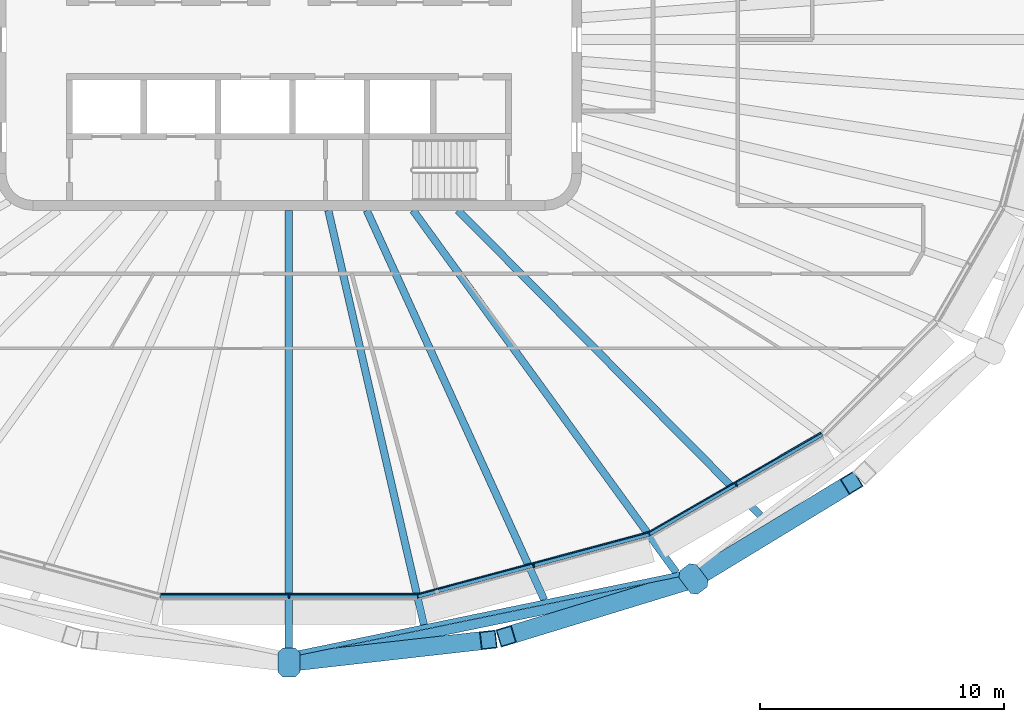
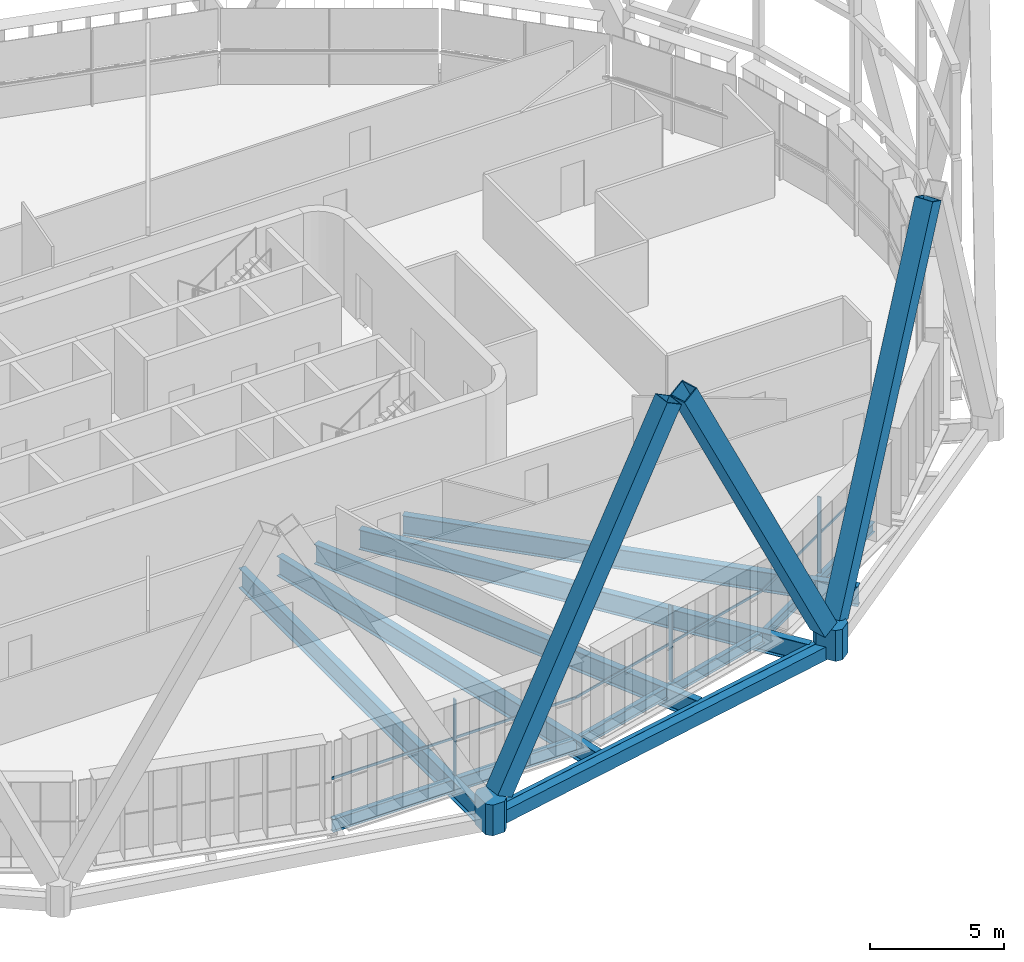
# One storey, part 4 of 23: 11 members, 10 beams, 3 elements without a shape of their own.
"""IFC4 building model written with IfcOpenShell, lengths in metres."""

from ifc_helpers import new_model, si_unit, direction, frame, origin, origin_2d, place, context, subcontext, project, spatial, polyline, rectangle, hollow_rectangle, i_section, outline, extrude, material, layer, layer_set, material_profile, profile_set, type_object, element, aggregate, save


model = new_model("IFC4")

# Units and contexts
model_context = context("Model", 3, precision=1e-05, world=origin(), true_north=direction((0.0, 1.0)))
body_context = subcontext(model_context, "Body", "Model", "MODEL_VIEW")
ifc_project = project(units=[si_unit("LENGTHUNIT", "METRE"), si_unit("AREAUNIT", "SQUARE_METRE"), si_unit("VOLUMEUNIT", "CUBIC_METRE"), si_unit("PLANEANGLEUNIT", "RADIAN"), si_unit("MASSUNIT", "GRAM", prefix="KILO")], contexts=[model_context])

# Site, building, storey
site_placement = place(None, origin())
site = spatial("IfcSite", under=ifc_project, at=site_placement, CompositionType="ELEMENT")
building_placement = place(site_placement, origin())
building = spatial("IfcBuilding", under=site, at=building_placement, Name="Sahrelin Media Tower", CompositionType="ELEMENT")
storey_placement = place(building_placement, frame((0.0, 0.0, 217.60009765625)))
storey = spatial("IfcBuildingStorey", under=building, at=storey_placement, Name="L46", CompositionType="ELEMENT", Elevation=217.60009765625)

# Members
ifc_material_1 = material(Name="Steel S460", Category="steel")
ifc_material_profile_1 = material_profile(ifc_material_1, hollow_rectangle(XDim=0.75, YDim=0.75, WallThickness=0.0400390625, at=origin_2d()), Name="Diagrid diagonal DG6")
ifc_profile_set_1 = profile_set([ifc_material_profile_1], Name="Steel S460")
member_type_1 = type_object("IfcMemberType", Name="Diagrid diagonal DG6", PredefinedType="BRACE", material=ifc_profile_set_1)
member_1_placement = place(storey_placement, frame((0.374267578125, -25.489990234375, 0.699951171875), z_axis=(0.47073958904, 0.053104550542, 0.880672553235), x_axis=(-0.112099834175, 0.993696949365, 0.0)))
element("IfcMember", 1, at=member_1_placement, inside=storey, type_object=member_type_1, Name="Diagrid diagonal D10-18", PredefinedType="BRACE", context=body_context, shape_type="SweptSolid", body=[
    extrude(hollow_rectangle(XDim=0.75, YDim=0.75, WallThickness=0.0400390625, at=origin_2d()), origin(), (0.0, 0.0, 1.0), 16.578125),
])
member_2_placement = place(storey_placement, frame((16.234375, -22.218994140625, 0.699951171875), z_axis=(-0.444550458227, -0.135899842006, 0.885384731647), x_axis=(0.292346380443, -0.956312498006, 0.0)))
element("IfcMember", 2, at=member_2_placement, inside=storey, type_object=member_type_1, Name="Diagrid diagonal D10-19", PredefinedType="BRACE", context=body_context, shape_type="SweptSolid", body=[
    extrude(hollow_rectangle(XDim=0.75, YDim=0.75, WallThickness=0.0400390625, at=origin_2d()), origin(), (0.0, 0.0, 1.0), 16.48974609375),
])
member_3_placement = place(storey_placement, frame((16.882568359375, -21.930908203125, 0.699951171875), z_axis=(0.379598064611, 0.231069461193, 0.895830460214), x_axis=(-0.51996298769, 0.854188791446, 0.0)))
element("IfcMember", 3, at=member_3_placement, inside=storey, type_object=member_type_1, Name="Diagrid diagonal D10-20", PredefinedType="BRACE", context=body_context, shape_type="SweptSolid", body=[
    extrude(hollow_rectangle(XDim=0.75, YDim=0.75, WallThickness=0.0400390625, at=origin_2d()), origin(), (0.0, 0.0, 1.0), 16.297607421875),
])
ifc_material_profile_2 = material_profile(ifc_material_1, outline(polyline([(0.39990234375, -0.449951171875), (0.60009765625, -0.25), (0.60009765625, 0.25), (0.39990234375, 0.449951171875), (-0.39990234375, 0.449951171875), (-0.60009765625, 0.25), (-0.60009765625, -0.25), (-0.39990234375, -0.449951171875), (0.39990234375, -0.449951171875)])), Name="Diagrid node block 1200")
ifc_profile_set_2 = profile_set([ifc_material_profile_2], Name="Steel S460")
member_type_2 = type_object("IfcMemberType", Name="Diagrid node block 1200", PredefinedType="USERDEFINED", material=ifc_profile_set_2)
for number, where, z_axis, x_axis, name in (
    (4, (0.0, -25.5322265625, -0.7001953125), (0.0, 0.0, 1.0), (0.0, -1.0, 0.0), "Diagrid node N10-09"),
    (5, (16.5859375, -22.111572265625, -0.7001953125), (0.0, 0.0, 1.0), (0.600053089558, -0.799960180079, 0.0), "Diagrid node N10-10"),
):
    element("IfcMember", number, at=place(storey_placement, frame(where, z_axis=z_axis, x_axis=x_axis)), inside=storey, type_object=member_type_2, Name=name, ObjectType="NODE", PredefinedType="USERDEFINED", context=body_context, shape_type="SweptSolid", body=[
        extrude(outline(polyline([(0.39990234375, -0.449951171875), (0.60009765625, -0.25), (0.60009765625, 0.25), (0.39990234375, 0.449951171875), (-0.39990234375, 0.449951171875), (-0.60009765625, 0.25), (-0.60009765625, -0.25), (-0.39990234375, -0.449951171875), (0.39990234375, -0.449951171875)])), origin(), (0.0, 0.0, 1.0), 1.400146484375),
    ])

# Beams
ifc_material_profile_3 = material_profile(ifc_material_1, hollow_rectangle(XDim=0.39990234375, YDim=0.60009765625, WallThickness=0.030029296875, at=origin_2d()), Name="Diagrid ring beam RB1")
ifc_profile_set_3 = profile_set([ifc_material_profile_3], Name="Steel S460")
beam_type_1 = type_object("IfcBeamType", Name="Diagrid ring beam RB1", PredefinedType="BEAM", material=ifc_profile_set_3)
beam_1_placement = place(storey_placement, frame((0.0, -25.5322265625, -0.4501953125), z_axis=(0.979388146689, 0.201987272186, 0.0), x_axis=(-0.201987272186, 0.979388146689, 0.0)))
element("IfcBeam", 6, at=beam_1_placement, inside=storey, type_object=beam_type_1, Name="Diagrid ring beam RB10-09", PredefinedType="BEAM", context=body_context, shape_type="SweptSolid", body=[
    extrude(hollow_rectangle(XDim=0.39990234375, YDim=0.60009765625, WallThickness=0.030029296875, at=origin_2d()), origin(), (0.0, 0.0, 1.0), 16.93505859375),
])
ifc_material_2 = material(Name="Steel S355", Category="steel")
ifc_material_profile_4 = material_profile(ifc_material_2, i_section(OverallWidth=0.1904296875, OverallDepth=0.45703125, WebThickness=0.009033203125, FlangeThickness=0.014404296875, FilletRadius=0.01025390625, at=origin_2d()), Name="UB 457x191x74")
ifc_profile_set_4 = profile_set([ifc_material_profile_4], Name="Steel S355")
beam_type_2 = type_object("IfcBeamType", Name="Edge beam EB5", PredefinedType="BEAM", material=ifc_profile_set_4)
beam_2_placement = place(storey_placement, frame((21.8505859375, -16.169189453125, -0.378662109375), z_axis=(-0.866015284814, -0.500017526161, 0.0), x_axis=(0.500017526161, -0.866015284814, 0.0)))
element("IfcBeam", 7, at=beam_2_placement, inside=storey, type_object=beam_type_2, Name="Edge beam L46-05", PredefinedType="BEAM", context=body_context, shape_type="SweptSolid", body=[
    extrude(i_section(OverallWidth=0.1904296875, OverallDepth=0.45703125, WebThickness=0.009033203125, FlangeThickness=0.014404296875, FilletRadius=0.01025390625, at=origin_2d()), origin(), (0.0, 0.0, 1.0), 8.164794921875),
])
ifc_material_profile_5 = material_profile(ifc_material_2, i_section(OverallWidth=0.208740234375, OverallDepth=0.5283203125, WebThickness=0.009521484375, FlangeThickness=0.01318359375, FilletRadius=0.0126953125, at=origin_2d()), Name="UB 533x210x82")
ifc_profile_set_5 = profile_set([ifc_material_profile_5], Name="Steel S355")
beam_type_3 = type_object("IfcBeamType", Name="Edge beam EB6", PredefinedType="BEAM", material=ifc_profile_set_5)
beam_3_placement = place(storey_placement, frame((14.753173828125, -20.2626953125, -0.414306640625), z_axis=(-0.965925693265, -0.258819541556, 0.0), x_axis=(0.258819541556, -0.965925693265, 0.0)))
element("IfcBeam", 8, at=beam_3_placement, inside=storey, type_object=beam_type_3, Name="Edge beam L46-06", PredefinedType="BEAM", context=body_context, shape_type="SweptSolid", body=[
    extrude(i_section(OverallWidth=0.208740234375, OverallDepth=0.5283203125, WebThickness=0.009521484375, FlangeThickness=0.01318359375, FilletRadius=0.0126953125, at=origin_2d()), origin(), (0.0, 0.0, 1.0), 9.796875),
])
ifc_material_profile_6 = material_profile(ifc_material_2, i_section(OverallWidth=0.2275390625, OverallDepth=0.6025390625, WebThickness=0.010498046875, FlangeThickness=0.014892578125, FilletRadius=0.0126953125, at=origin_2d()), Name="UB 610x229x101")
ifc_profile_set_6 = profile_set([ifc_material_profile_6], Name="Steel S355")
beam_type_4 = type_object("IfcBeamType", Name="Edge beam EB7", PredefinedType="BEAM", material=ifc_profile_set_6)
beam_4_placement = place(storey_placement, frame((5.261474609375, -22.802001953125, -0.451416015625), z_axis=(-1.0, 0.0, 0.0), x_axis=(0.0, -1.0, 0.0)))
element("IfcBeam", 9, at=beam_4_placement, inside=storey, type_object=beam_type_4, Name="Edge beam L46-07", PredefinedType="BEAM", context=body_context, shape_type="SweptSolid", body=[
    extrude(i_section(OverallWidth=0.2275390625, OverallDepth=0.6025390625, WebThickness=0.010498046875, FlangeThickness=0.014892578125, FilletRadius=0.0126953125, at=origin_2d()), origin(), (0.0, 0.0, 1.0), 10.52294921875),
])

# Curtain wall, member
ifc_material_3 = material(Name="Champagne anodised aluminium 6063-T6", Category="aluminium")
ifc_layer = layer(ifc_material_3, 0.14990234375)
ifc_layer_set = layer_set([ifc_layer], Name="Tower ribbon curtain wall")
curtain_wall_type = type_object("IfcCurtainWallType", Name="Tower ribbon curtain wall", PredefinedType="NOTDEFINED", material=ifc_layer_set)
curtain_wall_1_placement = place(storey_placement, frame((0.0, -22.9521484375, 0.0), z_axis=(0.0, 0.0, 1.0), x_axis=(1.0, 0.0, 0.0)))
curtain_wall_1 = element("IfcCurtainWall", 10, at=curtain_wall_1_placement, inside=storey, type_object=curtain_wall_type, Name="L46:CW:L46-18", PredefinedType="NOTDEFINED")
ifc_material_profile_7 = material_profile(ifc_material_3, rectangle(XDim=0.06005859375, YDim=0.175048828125, at=origin_2d()), Name="Mullion 60x175")
ifc_profile_set_7 = profile_set([ifc_material_profile_7], Name="Champagne anodised aluminium 6063-T6")
member_type_3 = type_object("IfcMemberType", Name="Mullion 60x175 CW1B", PredefinedType="MULLION", material=ifc_profile_set_7)
member_4_placement = place(storey_placement, frame((0.0, -22.844482421875, 0.0), z_axis=(0.0, 0.0, 1.0), x_axis=(1.0, 0.0, 0.0)))
member_4 = element("IfcMember", 11, at=member_4_placement, type_object=member_type_3, Name="L46:CWM:L46-18", PredefinedType="MULLION", context=body_context, shape_type="SweptSolid", body=[
    extrude(rectangle(XDim=0.06005859375, YDim=0.175048828125, at=origin_2d()), origin(), (0.0, 0.0, 1.0), 3.448486328125),
])

curtain_wall_2_placement = place(storey_placement, frame((10.060302734375, -21.67529296875, 0.0), z_axis=(0.0, 0.0, 1.0), x_axis=(1.0, 0.0, 0.0)))
curtain_wall_2 = element("IfcCurtainWall", 12, at=curtain_wall_2_placement, inside=storey, type_object=curtain_wall_type, Name="L46:CW:L46-19", PredefinedType="NOTDEFINED")
member_5_placement = place(storey_placement, frame((10.03271484375, -21.571533203125, 0.0), z_axis=(0.0, 0.0, 1.0), x_axis=(0.965924922834, 0.258822416818, 0.0)))
member_5 = element("IfcMember", 13, at=member_5_placement, type_object=member_type_3, Name="L46:CWM:L46-19", PredefinedType="MULLION", context=body_context, shape_type="SweptSolid", body=[
    extrude(rectangle(XDim=0.06005859375, YDim=0.175048828125, at=origin_2d()), origin(), (0.0, 0.0, 1.0), 3.448486328125),
])

curtain_wall_3_placement = place(storey_placement, frame((18.39013671875, -18.34033203125, 0.0), z_axis=(0.0, 0.0, 1.0), x_axis=(1.0, 0.0, 0.0)))
curtain_wall_3 = element("IfcCurtainWall", 14, at=curtain_wall_3_placement, inside=storey, type_object=curtain_wall_type, Name="L46:CW:L46-20", PredefinedType="NOTDEFINED")
member_6_placement = place(storey_placement, frame((18.33642578125, -18.247314453125, 0.0), z_axis=(0.0, 0.0, 1.0), x_axis=(0.866026276448, 0.4999984885, 0.0)))
member_6 = element("IfcMember", 15, at=member_6_placement, type_object=member_type_3, Name="L46:CWM:L46-20", PredefinedType="MULLION", context=body_context, shape_type="SweptSolid", body=[
    extrude(rectangle(XDim=0.06005859375, YDim=0.175048828125, at=origin_2d()), origin(), (0.0, 0.0, 1.0), 3.448486328125),
])

# Beams
ifc_material_profile_8 = material_profile(ifc_material_2, i_section(OverallWidth=0.30322265625, OverallDepth=0.903076171875, WebThickness=0.01513671875, FlangeThickness=0.020263671875, FilletRadius=0.01904296875, at=origin_2d()), Name="UB 914x305x201")
ifc_profile_set_8 = profile_set([ifc_material_profile_8], Name="Steel S355")
beam_type_5 = type_object("IfcBeamType", Name="Radial primary beam PB11", PredefinedType="BEAM", material=ifc_profile_set_8)
beam_5_placement = place(storey_placement, frame((1.614990234375, -7.0, -0.6015625), z_axis=(0.224837005551, -0.974396387994, 0.0), x_axis=(0.974396387994, 0.224837005551, 0.0)))
element("IfcBeam", 16, at=beam_5_placement, inside=storey, type_object=beam_type_5, Name="Radial beam L46-19", PredefinedType="BEAM", context=body_context, shape_type="SweptSolid", body=[
    extrude(i_section(OverallWidth=0.30322265625, OverallDepth=0.903076171875, WebThickness=0.01513671875, FlangeThickness=0.020263671875, FilletRadius=0.01904296875, at=origin_2d()), origin(), (0.0, 0.0, 1.0), 17.433349609375),
])
beam_6_placement = place(storey_placement, frame((5.08740234375, -7.0, -0.6015625), z_axis=(0.587903651561, -0.808930959033, 0.0), x_axis=(0.808930959033, 0.587903651561, 0.0)))
element("IfcBeam", 17, at=beam_6_placement, inside=storey, type_object=beam_type_5, Name="Radial beam L46-20", PredefinedType="BEAM", context=body_context, shape_type="SweptSolid", body=[
    extrude(i_section(OverallWidth=0.30322265625, OverallDepth=0.903076171875, WebThickness=0.01513671875, FlangeThickness=0.020263671875, FilletRadius=0.01904296875, at=origin_2d()), origin(), (0.0, 0.0, 1.0), 18.361328125),
])
ifc_material_profile_9 = material_profile(ifc_material_2, i_section(OverallWidth=0.30322265625, OverallDepth=0.903076171875, WebThickness=0.01513671875, FlangeThickness=0.020263671875, FilletRadius=0.01904296875, at=origin_2d()), Name="UB 914x305x201")
ifc_profile_set_9 = profile_set([ifc_material_profile_9], Name="Steel S355")
beam_type_6 = type_object("IfcBeamType", Name="Radial secondary beam SB11", PredefinedType="BEAM", material=ifc_profile_set_9)
beam_7_placement = place(storey_placement, frame((0.0, -7.0, -0.6015625), z_axis=(0.0, -1.0, 0.0), x_axis=(1.0, 0.0, 0.0)))
element("IfcBeam", 18, at=beam_7_placement, inside=storey, type_object=beam_type_6, Name="Secondary beam L46-18", PredefinedType="BEAM", context=body_context, shape_type="SweptSolid", body=[
    extrude(i_section(OverallWidth=0.30322265625, OverallDepth=0.903076171875, WebThickness=0.01513671875, FlangeThickness=0.020263671875, FilletRadius=0.01904296875, at=origin_2d()), origin(), (0.0, 0.0, 1.0), 18.12841796875),
])
beam_8_placement = place(storey_placement, frame((3.190185546875, -7.0, -0.6015625), z_axis=(0.414698885824, -0.909958699116, 0.0), x_axis=(0.909958699116, 0.414698885824, 0.0)))
element("IfcBeam", 19, at=beam_8_placement, inside=storey, type_object=beam_type_6, Name="Secondary beam L46-19", PredefinedType="BEAM", context=body_context, shape_type="SweptSolid", body=[
    extrude(i_section(OverallWidth=0.30322265625, OverallDepth=0.903076171875, WebThickness=0.01513671875, FlangeThickness=0.020263671875, FilletRadius=0.01904296875, at=origin_2d()), origin(), (0.0, 0.0, 1.0), 17.549560546875),
])
beam_9_placement = place(storey_placement, frame((6.932861328125, -7.0, -0.6015625), z_axis=(0.703686903697, -0.710510198073, 0.0), x_axis=(0.710510198073, 0.703686903697, 0.0)))
element("IfcBeam", 20, at=beam_9_placement, inside=storey, type_object=beam_type_6, Name="Secondary beam L46-20", PredefinedType="BEAM", context=body_context, shape_type="SweptSolid", body=[
    extrude(i_section(OverallWidth=0.30322265625, OverallDepth=0.903076171875, WebThickness=0.01513671875, FlangeThickness=0.020263671875, FilletRadius=0.01904296875, at=origin_2d()), origin(), (0.0, 0.0, 1.0), 17.60400390625),
])
ifc_material_profile_10 = material_profile(ifc_material_2, i_section(OverallWidth=0.1904296875, OverallDepth=0.45703125, WebThickness=0.009033203125, FlangeThickness=0.014404296875, FilletRadius=0.01025390625, at=origin_2d()), Name="UB 457x191x74")
ifc_profile_set_10 = profile_set([ifc_material_profile_10], Name="Steel S355")
beam_type_7 = type_object("IfcBeamType", Name="Tie chord TC5", PredefinedType="BEAM", material=ifc_profile_set_10)
beam_10_placement = place(storey_placement, frame((16.45751953125, -21.831298828125, -0.378662109375), z_axis=(-0.979386763323, -0.201993979684, 0.0), x_axis=(0.201993979684, -0.979386763323, 0.0)))
element("IfcBeam", 21, at=beam_10_placement, inside=storey, type_object=beam_type_7, Name="Tie chord L46-03", PredefinedType="BEAM", context=body_context, shape_type="SweptSolid", body=[
    extrude(i_section(OverallWidth=0.1904296875, OverallDepth=0.45703125, WebThickness=0.009033203125, FlangeThickness=0.014404296875, FilletRadius=0.01025390625, at=origin_2d()), origin(), (0.0, 0.0, 1.0), 16.803955078125),
])

# Member
ifc_material_profile_11 = material_profile(ifc_material_3, rectangle(XDim=0.050048828125, YDim=0.110107421875, at=origin_2d()), Name="Transom 50x110")
ifc_profile_set_11 = profile_set([ifc_material_profile_11], Name="Champagne anodised aluminium 6063-T6")
member_type_4 = type_object("IfcMemberType", Name="Transom 50x110 CW1B", PredefinedType="USERDEFINED", material=ifc_profile_set_11)
member_7_placement = place(storey_placement, frame((-5.245849609375, -22.732177734375, 1.599853515625), z_axis=(1.0, 0.0, 0.0), x_axis=(0.0, 1.0, 0.0)))
member_7 = element("IfcMember", 22, at=member_7_placement, type_object=member_type_4, Name="L46:CWT:L46-18", ObjectType="TRANSOM", PredefinedType="USERDEFINED", context=body_context, shape_type="SweptSolid", body=[
    extrude(rectangle(XDim=0.050048828125, YDim=0.110107421875, at=origin_2d()), origin(), (0.0, 0.0, 1.0), 10.49169921875),
])

aggregate(curtain_wall_1, [member_4, member_7])

member_8_placement = place(storey_placement, frame((5.287109375, -22.726806640625, 1.599853515625), z_axis=(0.965924282198, 0.258824807661, 0.0), x_axis=(-0.258824807661, 0.965924282198, 0.0)))
member_8 = element("IfcMember", 23, at=member_8_placement, type_object=member_type_4, Name="L46:CWT:L46-19", ObjectType="TRANSOM", PredefinedType="USERDEFINED", context=body_context, shape_type="SweptSolid", body=[
    extrude(rectangle(XDim=0.050048828125, YDim=0.110107421875, at=origin_2d()), origin(), (0.0, 0.0, 1.0), 9.765625),
])

aggregate(curtain_wall_2, [member_5, member_8])

member_9_placement = place(storey_placement, frame((14.75830078125, -20.18310546875, 1.599853515625), z_axis=(0.866040125199, 0.499974500895, 0.0), x_axis=(-0.499974500895, 0.866040125199, 0.0)))
member_9 = element("IfcMember", 24, at=member_9_placement, type_object=member_type_4, Name="L46:CWT:L46-20", ObjectType="TRANSOM", PredefinedType="USERDEFINED", context=body_context, shape_type="SweptSolid", body=[
    extrude(rectangle(XDim=0.050048828125, YDim=0.110107421875, at=origin_2d()), origin(), (0.0, 0.0, 1.0), 8.13330078125),
])

aggregate(curtain_wall_3, [member_6, member_9])

save(model, "model.ifc")
